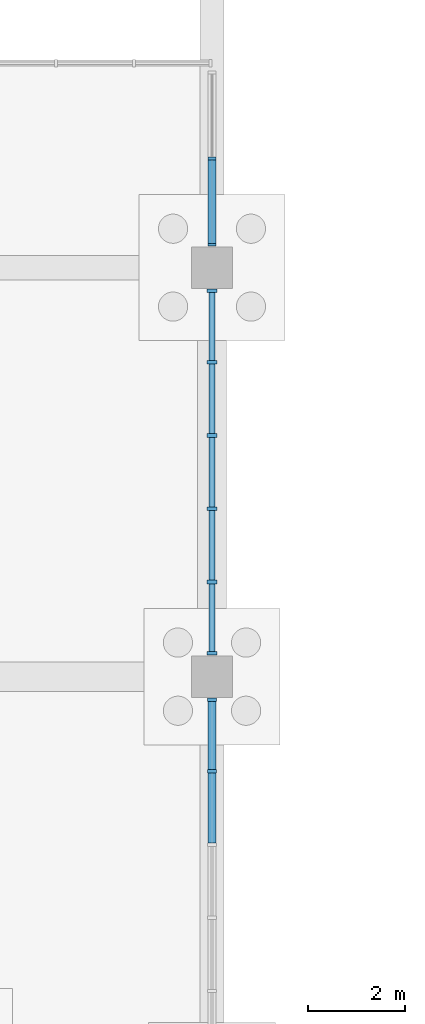
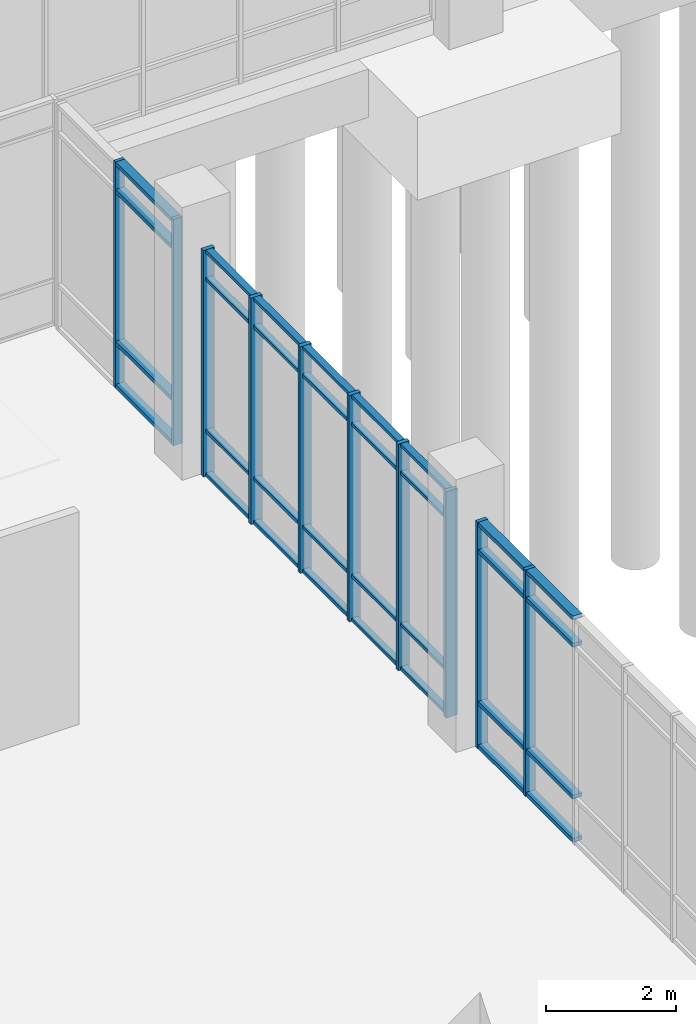
# One storey, part 60 of 136: 42 members, 3 elements without a shape of their own.
"""IFC4 building model written with IfcOpenShell, lengths in metres."""

from ifc_helpers import new_model, si_unit, direction, frame, origin, origin_2d, place, context, subcontext, project, spatial, rectangle, extrude, material, material_profile, profile_set, type_object, element, aggregate, save


model = new_model("IFC4")

# Units and contexts
model_context = context("Model", 3, precision=1e-05, world=origin(), true_north=direction((0.0, 1.0)))
body_context = subcontext(model_context, "Body", "Model", "MODEL_VIEW")
ifc_project = project(units=[si_unit("LENGTHUNIT", "METRE"), si_unit("AREAUNIT", "SQUARE_METRE"), si_unit("VOLUMEUNIT", "CUBIC_METRE"), si_unit("PLANEANGLEUNIT", "RADIAN"), si_unit("MASSUNIT", "GRAM", prefix="KILO")], contexts=[model_context])

# Site, building, storey
site_placement = place(None, origin())
site = spatial("IfcSite", under=ifc_project, at=site_placement, CompositionType="ELEMENT")
building_placement = place(site_placement, origin())
building = spatial("IfcBuilding", under=site, at=building_placement, Name="Oolite Switchyard Hospital", CompositionType="ELEMENT")
storey_placement = place(building_placement, origin())
storey = spatial("IfcBuildingStorey", under=building, at=storey_placement, Name="L00", CompositionType="ELEMENT", Elevation=0.0)

# Curtain wall, members
ifc_material_1 = material(Name="Thermally broken aluminum frame with laminated impact glazing", Category="aluminium")
curtain_wall_type = type_object("IfcCurtainWallType", Name="CW-UNIT-84X51", PredefinedType="USERDEFINED", material=ifc_material_1)
curtain_wall_1_placement = place(storey_placement, origin())
curtain_wall_1 = element("IfcCurtainWall", 1, at=curtain_wall_1_placement, inside=storey, type_object=curtain_wall_type, Name="L00 Unitised Curtain Wall 81", ObjectType="UNITISED", PredefinedType="USERDEFINED")
ifc_material_2 = material(Name="Aluminium 6063-T6", Category="aluminium")
ifc_material_profile_1 = material_profile(ifc_material_2, rectangle(XDim=0.159912109375, YDim=0.06005859375, at=origin_2d()), Name="CWM60X160")
ifc_profile_set_1 = profile_set([ifc_material_profile_1], Name="Aluminium 6063-T6")
member_type_1 = type_object("IfcMemberType", Name="CW-MUL-180", PredefinedType="MULLION", material=ifc_profile_set_1)
member_1_placement = place(storey_placement, frame((172.800048828125, 94.639892578125, 0.0), z_axis=(0.0, 0.0, 1.0), x_axis=(1.0, 0.0, 0.0)))
member_1 = element("IfcMember", 2, at=member_1_placement, type_object=member_type_1, Name="CW-06 mullion 2", PredefinedType="MULLION", context=body_context, shape_type="SweptSolid", body=[
    extrude(rectangle(XDim=0.159912109375, YDim=0.06005859375, at=origin_2d()), origin(), (0.0, 0.0, 1.0), 4.239990234375),
])
member_2_placement = place(storey_placement, frame((172.800048828125, 92.8701171875, 0.0), z_axis=(0.0, 0.0, 1.0), x_axis=(1.0, 0.0, 0.0)))
member_2 = element("IfcMember", 3, at=member_2_placement, type_object=member_type_1, Name="CW-06 mullion 3", PredefinedType="MULLION", context=body_context, shape_type="SweptSolid", body=[
    extrude(rectangle(XDim=0.159912109375, YDim=0.06005859375, at=origin_2d()), origin(), (0.0, 0.0, 1.0), 4.239990234375),
])

curtain_wall_2_placement = place(storey_placement, origin())
curtain_wall_2 = element("IfcCurtainWall", 4, at=curtain_wall_2_placement, inside=storey, type_object=curtain_wall_type, Name="L00 Unitised Curtain Wall 79", ObjectType="UNITISED", PredefinedType="USERDEFINED")
ifc_material_profile_2 = material_profile(ifc_material_2, rectangle(XDim=0.179931640625, YDim=0.070068359375, at=origin_2d()), Name="CWM70X180")
ifc_profile_set_2 = profile_set([ifc_material_profile_2], Name="Aluminium 6063-T6")
member_type_2 = type_object("IfcMemberType", Name="CW-MUL-220", PredefinedType="MULLION", material=ifc_profile_set_2)
member_3_placement = place(storey_placement, frame((172.800048828125, 83.52490234375, 0.0), z_axis=(0.0, 0.0, 1.0), x_axis=(1.0, 0.0, 0.0)))
member_3 = element("IfcMember", 5, at=member_3_placement, type_object=member_type_2, Name="CW-06 mullion 1", PredefinedType="MULLION", context=body_context, shape_type="SweptSolid", body=[
    extrude(rectangle(XDim=0.179931640625, YDim=0.070068359375, at=origin_2d()), origin(), (0.0, 0.0, 1.0), 4.239990234375),
])
member_4_placement = place(storey_placement, frame((172.800048828125, 82.055908203125, 0.0), z_axis=(0.0, 0.0, 1.0), x_axis=(1.0, 0.0, 0.0)))
member_4 = element("IfcMember", 6, at=member_4_placement, type_object=member_type_2, Name="CW-06 mullion 2", PredefinedType="MULLION", context=body_context, shape_type="SweptSolid", body=[
    extrude(rectangle(XDim=0.179931640625, YDim=0.070068359375, at=origin_2d()), origin(), (0.0, 0.0, 1.0), 4.239990234375),
])

curtain_wall_3_placement = place(storey_placement, origin())
curtain_wall_3 = element("IfcCurtainWall", 7, at=curtain_wall_3_placement, inside=storey, type_object=curtain_wall_type, Name="L00 Unitised Curtain Wall 80", ObjectType="UNITISED", PredefinedType="USERDEFINED")
ifc_material_profile_3 = material_profile(ifc_material_2, rectangle(XDim=0.199951171875, YDim=0.074951171875, at=origin_2d()), Name="CWM75X200")
ifc_profile_set_3 = profile_set([ifc_material_profile_3], Name="Aluminium 6063-T6")
member_type_3 = type_object("IfcMemberType", Name="CW-MUL-260", PredefinedType="MULLION", material=ifc_profile_set_3)
member_5_placement = place(storey_placement, frame((172.800048828125, 91.922607421875, 0.0), z_axis=(0.0, 0.0, 1.0), x_axis=(1.0, 0.0, 0.0)))
member_5 = element("IfcMember", 8, at=member_5_placement, type_object=member_type_3, Name="CW-06 mullion 1", PredefinedType="MULLION", context=body_context, shape_type="SweptSolid", body=[
    extrude(rectangle(XDim=0.199951171875, YDim=0.074951171875, at=origin_2d()), origin(), (0.0, 0.0, 1.0), 4.239990234375),
])
member_6_placement = place(storey_placement, frame((172.800048828125, 90.4560546875, 0.0), z_axis=(0.0, 0.0, 1.0), x_axis=(1.0, 0.0, 0.0)))
member_6 = element("IfcMember", 9, at=member_6_placement, type_object=member_type_3, Name="CW-06 mullion 2", PredefinedType="MULLION", context=body_context, shape_type="SweptSolid", body=[
    extrude(rectangle(XDim=0.199951171875, YDim=0.074951171875, at=origin_2d()), origin(), (0.0, 0.0, 1.0), 4.239990234375),
])
member_7_placement = place(storey_placement, frame((172.800048828125, 88.951904296875, 0.0), z_axis=(0.0, 0.0, 1.0), x_axis=(1.0, 0.0, 0.0)))
member_7 = element("IfcMember", 10, at=member_7_placement, type_object=member_type_3, Name="CW-06 mullion 3", PredefinedType="MULLION", context=body_context, shape_type="SweptSolid", body=[
    extrude(rectangle(XDim=0.199951171875, YDim=0.074951171875, at=origin_2d()), origin(), (0.0, 0.0, 1.0), 4.239990234375),
])
member_8_placement = place(storey_placement, frame((172.800048828125, 87.447998046875, 0.0), z_axis=(0.0, 0.0, 1.0), x_axis=(1.0, 0.0, 0.0)))
member_8 = element("IfcMember", 11, at=member_8_placement, type_object=member_type_3, Name="CW-06 mullion 4", PredefinedType="MULLION", context=body_context, shape_type="SweptSolid", body=[
    extrude(rectangle(XDim=0.199951171875, YDim=0.074951171875, at=origin_2d()), origin(), (0.0, 0.0, 1.0), 4.239990234375),
])
member_9_placement = place(storey_placement, frame((172.800048828125, 85.944091796875, 0.0), z_axis=(0.0, 0.0, 1.0), x_axis=(1.0, 0.0, 0.0)))
member_9 = element("IfcMember", 12, at=member_9_placement, type_object=member_type_3, Name="CW-06 mullion 5", PredefinedType="MULLION", context=body_context, shape_type="SweptSolid", body=[
    extrude(rectangle(XDim=0.199951171875, YDim=0.074951171875, at=origin_2d()), origin(), (0.0, 0.0, 1.0), 4.239990234375),
])
member_10_placement = place(storey_placement, frame((172.800048828125, 84.4775390625, 0.0), z_axis=(0.0, 0.0, 1.0), x_axis=(1.0, 0.0, 0.0)))
member_10 = element("IfcMember", 13, at=member_10_placement, type_object=member_type_3, Name="CW-06 mullion 6", PredefinedType="MULLION", context=body_context, shape_type="SweptSolid", body=[
    extrude(rectangle(XDim=0.199951171875, YDim=0.074951171875, at=origin_2d()), origin(), (0.0, 0.0, 1.0), 4.239990234375),
])
ifc_material_profile_4 = material_profile(ifc_material_2, rectangle(XDim=0.1201171875, YDim=0.06005859375, at=origin_2d()), Name="CWT60X120")
ifc_profile_set_4 = profile_set([ifc_material_profile_4], Name="Aluminium 6063-T6")
member_type_4 = type_object("IfcMemberType", Name="CW-TRN-150", PredefinedType="USERDEFINED", material=ifc_profile_set_4)
member_11_placement = place(storey_placement, frame((172.800048828125, 91.885009765625, 0.030029296875), z_axis=(0.0, -1.0, 0.0), x_axis=(1.0, 0.0, 0.0)))
member_11 = element("IfcMember", 14, at=member_11_placement, type_object=member_type_4, Name="CW-06 transom 1.1", ObjectType="TRANSOM", PredefinedType="USERDEFINED", context=body_context, shape_type="SweptSolid", body=[
    extrude(rectangle(XDim=0.1201171875, YDim=0.06005859375, at=origin_2d()), origin(), (0.0, 0.0, 1.0), 1.3916015625),
])
member_12_placement = place(storey_placement, frame((172.800048828125, 91.885009765625, 0.85009765625), z_axis=(0.0, -1.0, 0.0), x_axis=(1.0, 0.0, 0.0)))
member_12 = element("IfcMember", 15, at=member_12_placement, type_object=member_type_4, Name="CW-06 transom 1.2", ObjectType="TRANSOM", PredefinedType="USERDEFINED", context=body_context, shape_type="SweptSolid", body=[
    extrude(rectangle(XDim=0.1201171875, YDim=0.06005859375, at=origin_2d()), origin(), (0.0, 0.0, 1.0), 1.3916015625),
])
member_13_placement = place(storey_placement, frame((172.800048828125, 91.885009765625, 3.68994140625), z_axis=(0.0, -1.0, 0.0), x_axis=(1.0, 0.0, 0.0)))
member_13 = element("IfcMember", 16, at=member_13_placement, type_object=member_type_4, Name="CW-06 transom 1.3", ObjectType="TRANSOM", PredefinedType="USERDEFINED", context=body_context, shape_type="SweptSolid", body=[
    extrude(rectangle(XDim=0.1201171875, YDim=0.06005859375, at=origin_2d()), origin(), (0.0, 0.0, 1.0), 1.3916015625),
])
member_14_placement = place(storey_placement, frame((172.800048828125, 91.885009765625, 4.2099609375), z_axis=(0.0, -1.0, 0.0), x_axis=(1.0, 0.0, 0.0)))
member_14 = element("IfcMember", 17, at=member_14_placement, type_object=member_type_4, Name="CW-06 transom 1.4", ObjectType="TRANSOM", PredefinedType="USERDEFINED", context=body_context, shape_type="SweptSolid", body=[
    extrude(rectangle(XDim=0.1201171875, YDim=0.06005859375, at=origin_2d()), origin(), (0.0, 0.0, 1.0), 1.3916015625),
])
member_15_placement = place(storey_placement, frame((172.800048828125, 90.41845703125, 0.030029296875), z_axis=(0.0, -1.0, 0.0), x_axis=(1.0, 0.0, 0.0)))
member_15 = element("IfcMember", 18, at=member_15_placement, type_object=member_type_4, Name="CW-06 transom 2.1", ObjectType="TRANSOM", PredefinedType="USERDEFINED", context=body_context, shape_type="SweptSolid", body=[
    extrude(rectangle(XDim=0.1201171875, YDim=0.06005859375, at=origin_2d()), origin(), (0.0, 0.0, 1.0), 1.428955078125),
])
member_16_placement = place(storey_placement, frame((172.800048828125, 90.41845703125, 0.85009765625), z_axis=(0.0, -1.0, 0.0), x_axis=(1.0, 0.0, 0.0)))
member_16 = element("IfcMember", 19, at=member_16_placement, type_object=member_type_4, Name="CW-06 transom 2.2", ObjectType="TRANSOM", PredefinedType="USERDEFINED", context=body_context, shape_type="SweptSolid", body=[
    extrude(rectangle(XDim=0.1201171875, YDim=0.06005859375, at=origin_2d()), origin(), (0.0, 0.0, 1.0), 1.428955078125),
])
member_17_placement = place(storey_placement, frame((172.800048828125, 90.41845703125, 3.68994140625), z_axis=(0.0, -1.0, 0.0), x_axis=(1.0, 0.0, 0.0)))
member_17 = element("IfcMember", 20, at=member_17_placement, type_object=member_type_4, Name="CW-06 transom 2.3", ObjectType="TRANSOM", PredefinedType="USERDEFINED", context=body_context, shape_type="SweptSolid", body=[
    extrude(rectangle(XDim=0.1201171875, YDim=0.06005859375, at=origin_2d()), origin(), (0.0, 0.0, 1.0), 1.428955078125),
])
member_18_placement = place(storey_placement, frame((172.800048828125, 90.41845703125, 4.2099609375), z_axis=(0.0, -1.0, 0.0), x_axis=(1.0, 0.0, 0.0)))
member_18 = element("IfcMember", 21, at=member_18_placement, type_object=member_type_4, Name="CW-06 transom 2.4", ObjectType="TRANSOM", PredefinedType="USERDEFINED", context=body_context, shape_type="SweptSolid", body=[
    extrude(rectangle(XDim=0.1201171875, YDim=0.06005859375, at=origin_2d()), origin(), (0.0, 0.0, 1.0), 1.428955078125),
])
member_19_placement = place(storey_placement, frame((172.800048828125, 88.91455078125, 0.030029296875), z_axis=(0.0, -1.0, 0.0), x_axis=(1.0, 0.0, 0.0)))
member_19 = element("IfcMember", 22, at=member_19_placement, type_object=member_type_4, Name="CW-06 transom 3.1", ObjectType="TRANSOM", PredefinedType="USERDEFINED", context=body_context, shape_type="SweptSolid", body=[
    extrude(rectangle(XDim=0.1201171875, YDim=0.06005859375, at=origin_2d()), origin(), (0.0, 0.0, 1.0), 1.428955078125),
])
member_20_placement = place(storey_placement, frame((172.800048828125, 88.91455078125, 0.85009765625), z_axis=(0.0, -1.0, 0.0), x_axis=(1.0, 0.0, 0.0)))
member_20 = element("IfcMember", 23, at=member_20_placement, type_object=member_type_4, Name="CW-06 transom 3.2", ObjectType="TRANSOM", PredefinedType="USERDEFINED", context=body_context, shape_type="SweptSolid", body=[
    extrude(rectangle(XDim=0.1201171875, YDim=0.06005859375, at=origin_2d()), origin(), (0.0, 0.0, 1.0), 1.428955078125),
])
member_21_placement = place(storey_placement, frame((172.800048828125, 88.91455078125, 3.68994140625), z_axis=(0.0, -1.0, 0.0), x_axis=(1.0, 0.0, 0.0)))
member_21 = element("IfcMember", 24, at=member_21_placement, type_object=member_type_4, Name="CW-06 transom 3.3", ObjectType="TRANSOM", PredefinedType="USERDEFINED", context=body_context, shape_type="SweptSolid", body=[
    extrude(rectangle(XDim=0.1201171875, YDim=0.06005859375, at=origin_2d()), origin(), (0.0, 0.0, 1.0), 1.428955078125),
])
member_22_placement = place(storey_placement, frame((172.800048828125, 88.91455078125, 4.2099609375), z_axis=(0.0, -1.0, 0.0), x_axis=(1.0, 0.0, 0.0)))
member_22 = element("IfcMember", 25, at=member_22_placement, type_object=member_type_4, Name="CW-06 transom 3.4", ObjectType="TRANSOM", PredefinedType="USERDEFINED", context=body_context, shape_type="SweptSolid", body=[
    extrude(rectangle(XDim=0.1201171875, YDim=0.06005859375, at=origin_2d()), origin(), (0.0, 0.0, 1.0), 1.428955078125),
])
member_23_placement = place(storey_placement, frame((172.800048828125, 87.410400390625, 0.030029296875), z_axis=(0.0, -1.0, 0.0), x_axis=(1.0, 0.0, 0.0)))
member_23 = element("IfcMember", 26, at=member_23_placement, type_object=member_type_4, Name="CW-06 transom 4.1", ObjectType="TRANSOM", PredefinedType="USERDEFINED", context=body_context, shape_type="SweptSolid", body=[
    extrude(rectangle(XDim=0.1201171875, YDim=0.06005859375, at=origin_2d()), origin(), (0.0, 0.0, 1.0), 1.428955078125),
])
member_24_placement = place(storey_placement, frame((172.800048828125, 87.410400390625, 0.85009765625), z_axis=(0.0, -1.0, 0.0), x_axis=(1.0, 0.0, 0.0)))
member_24 = element("IfcMember", 27, at=member_24_placement, type_object=member_type_4, Name="CW-06 transom 4.2", ObjectType="TRANSOM", PredefinedType="USERDEFINED", context=body_context, shape_type="SweptSolid", body=[
    extrude(rectangle(XDim=0.1201171875, YDim=0.06005859375, at=origin_2d()), origin(), (0.0, 0.0, 1.0), 1.428955078125),
])
member_25_placement = place(storey_placement, frame((172.800048828125, 87.410400390625, 3.68994140625), z_axis=(0.0, -1.0, 0.0), x_axis=(1.0, 0.0, 0.0)))
member_25 = element("IfcMember", 28, at=member_25_placement, type_object=member_type_4, Name="CW-06 transom 4.3", ObjectType="TRANSOM", PredefinedType="USERDEFINED", context=body_context, shape_type="SweptSolid", body=[
    extrude(rectangle(XDim=0.1201171875, YDim=0.06005859375, at=origin_2d()), origin(), (0.0, 0.0, 1.0), 1.428955078125),
])
member_26_placement = place(storey_placement, frame((172.800048828125, 87.410400390625, 4.2099609375), z_axis=(0.0, -1.0, 0.0), x_axis=(1.0, 0.0, 0.0)))
member_26 = element("IfcMember", 29, at=member_26_placement, type_object=member_type_4, Name="CW-06 transom 4.4", ObjectType="TRANSOM", PredefinedType="USERDEFINED", context=body_context, shape_type="SweptSolid", body=[
    extrude(rectangle(XDim=0.1201171875, YDim=0.06005859375, at=origin_2d()), origin(), (0.0, 0.0, 1.0), 1.428955078125),
])
member_27_placement = place(storey_placement, frame((172.800048828125, 85.906494140625, 0.030029296875), z_axis=(0.0, -1.0, 0.0), x_axis=(1.0, 0.0, 0.0)))
member_27 = element("IfcMember", 30, at=member_27_placement, type_object=member_type_4, Name="CW-06 transom 5.1", ObjectType="TRANSOM", PredefinedType="USERDEFINED", context=body_context, shape_type="SweptSolid", body=[
    extrude(rectangle(XDim=0.1201171875, YDim=0.06005859375, at=origin_2d()), origin(), (0.0, 0.0, 1.0), 1.3916015625),
])
member_28_placement = place(storey_placement, frame((172.800048828125, 85.906494140625, 0.85009765625), z_axis=(0.0, -1.0, 0.0), x_axis=(1.0, 0.0, 0.0)))
member_28 = element("IfcMember", 31, at=member_28_placement, type_object=member_type_4, Name="CW-06 transom 5.2", ObjectType="TRANSOM", PredefinedType="USERDEFINED", context=body_context, shape_type="SweptSolid", body=[
    extrude(rectangle(XDim=0.1201171875, YDim=0.06005859375, at=origin_2d()), origin(), (0.0, 0.0, 1.0), 1.3916015625),
])
member_29_placement = place(storey_placement, frame((172.800048828125, 85.906494140625, 3.68994140625), z_axis=(0.0, -1.0, 0.0), x_axis=(1.0, 0.0, 0.0)))
member_29 = element("IfcMember", 32, at=member_29_placement, type_object=member_type_4, Name="CW-06 transom 5.3", ObjectType="TRANSOM", PredefinedType="USERDEFINED", context=body_context, shape_type="SweptSolid", body=[
    extrude(rectangle(XDim=0.1201171875, YDim=0.06005859375, at=origin_2d()), origin(), (0.0, 0.0, 1.0), 1.3916015625),
])
member_30_placement = place(storey_placement, frame((172.800048828125, 85.906494140625, 4.2099609375), z_axis=(0.0, -1.0, 0.0), x_axis=(1.0, 0.0, 0.0)))
member_30 = element("IfcMember", 33, at=member_30_placement, type_object=member_type_4, Name="CW-06 transom 5.4", ObjectType="TRANSOM", PredefinedType="USERDEFINED", context=body_context, shape_type="SweptSolid", body=[
    extrude(rectangle(XDim=0.1201171875, YDim=0.06005859375, at=origin_2d()), origin(), (0.0, 0.0, 1.0), 1.3916015625),
])
aggregate(curtain_wall_3, [member_5, member_6, member_7, member_8, member_9, member_10, member_11, member_12, member_13, member_14, member_15, member_16, member_17, member_18, member_19, member_20, member_21, member_22, member_23, member_24, member_25, member_26, member_27, member_28, member_29, member_30])

# Member
ifc_material_profile_5 = material_profile(ifc_material_2, rectangle(XDim=0.159912109375, YDim=0.074951171875, at=origin_2d()), Name="CWT75X160")
ifc_profile_set_5 = profile_set([ifc_material_profile_5], Name="Aluminium 6063-T6")
member_type_5 = type_object("IfcMemberType", Name="CW-TRN-180", PredefinedType="USERDEFINED", material=ifc_profile_set_5)
member_31_placement = place(storey_placement, frame((172.800048828125, 83.489990234375, 0.03759765625), z_axis=(0.0, -1.0, 0.0), x_axis=(1.0, 0.0, 0.0)))
member_31 = element("IfcMember", 34, at=member_31_placement, type_object=member_type_5, Name="CW-06 transom 1.1", ObjectType="TRANSOM", PredefinedType="USERDEFINED", context=body_context, shape_type="SweptSolid", body=[
    extrude(rectangle(XDim=0.159912109375, YDim=0.074951171875, at=origin_2d()), origin(), (0.0, 0.0, 1.0), 1.39892578125),
])

member_32_placement = place(storey_placement, frame((172.800048828125, 83.489990234375, 0.85009765625), z_axis=(0.0, -1.0, 0.0), x_axis=(1.0, 0.0, 0.0)))
member_32 = element("IfcMember", 35, at=member_32_placement, type_object=member_type_5, Name="CW-06 transom 1.2", ObjectType="TRANSOM", PredefinedType="USERDEFINED", context=body_context, shape_type="SweptSolid", body=[
    extrude(rectangle(XDim=0.159912109375, YDim=0.074951171875, at=origin_2d()), origin(), (0.0, 0.0, 1.0), 1.39892578125),
])

member_33_placement = place(storey_placement, frame((172.800048828125, 83.489990234375, 3.68994140625), z_axis=(0.0, -1.0, 0.0), x_axis=(1.0, 0.0, 0.0)))
member_33 = element("IfcMember", 36, at=member_33_placement, type_object=member_type_5, Name="CW-06 transom 1.3", ObjectType="TRANSOM", PredefinedType="USERDEFINED", context=body_context, shape_type="SweptSolid", body=[
    extrude(rectangle(XDim=0.159912109375, YDim=0.074951171875, at=origin_2d()), origin(), (0.0, 0.0, 1.0), 1.39892578125),
])

member_34_placement = place(storey_placement, frame((172.800048828125, 83.489990234375, 4.202392578125), z_axis=(0.0, -1.0, 0.0), x_axis=(1.0, 0.0, 0.0)))
member_34 = element("IfcMember", 37, at=member_34_placement, type_object=member_type_5, Name="CW-06 transom 1.4", ObjectType="TRANSOM", PredefinedType="USERDEFINED", context=body_context, shape_type="SweptSolid", body=[
    extrude(rectangle(XDim=0.159912109375, YDim=0.074951171875, at=origin_2d()), origin(), (0.0, 0.0, 1.0), 1.39892578125),
])

member_35_placement = place(storey_placement, frame((172.800048828125, 82.02099609375, 0.03759765625), z_axis=(0.0, -1.0, 0.0), x_axis=(1.0, 0.0, 0.0)))
member_35 = element("IfcMember", 38, at=member_35_placement, type_object=member_type_5, Name="CW-06 transom 2.1", ObjectType="TRANSOM", PredefinedType="USERDEFINED", context=body_context, shape_type="SweptSolid", body=[
    extrude(rectangle(XDim=0.159912109375, YDim=0.074951171875, at=origin_2d()), origin(), (0.0, 0.0, 1.0), 1.43408203125),
])

member_36_placement = place(storey_placement, frame((172.800048828125, 82.02099609375, 0.85009765625), z_axis=(0.0, -1.0, 0.0), x_axis=(1.0, 0.0, 0.0)))
member_36 = element("IfcMember", 39, at=member_36_placement, type_object=member_type_5, Name="CW-06 transom 2.2", ObjectType="TRANSOM", PredefinedType="USERDEFINED", context=body_context, shape_type="SweptSolid", body=[
    extrude(rectangle(XDim=0.159912109375, YDim=0.074951171875, at=origin_2d()), origin(), (0.0, 0.0, 1.0), 1.43408203125),
])

member_37_placement = place(storey_placement, frame((172.800048828125, 82.02099609375, 3.68994140625), z_axis=(0.0, -1.0, 0.0), x_axis=(1.0, 0.0, 0.0)))
member_37 = element("IfcMember", 40, at=member_37_placement, type_object=member_type_5, Name="CW-06 transom 2.3", ObjectType="TRANSOM", PredefinedType="USERDEFINED", context=body_context, shape_type="SweptSolid", body=[
    extrude(rectangle(XDim=0.159912109375, YDim=0.074951171875, at=origin_2d()), origin(), (0.0, 0.0, 1.0), 1.43408203125),
])

member_38_placement = place(storey_placement, frame((172.800048828125, 82.02099609375, 4.202392578125), z_axis=(0.0, -1.0, 0.0), x_axis=(1.0, 0.0, 0.0)))
member_38 = element("IfcMember", 41, at=member_38_placement, type_object=member_type_5, Name="CW-06 transom 2.4", ObjectType="TRANSOM", PredefinedType="USERDEFINED", context=body_context, shape_type="SweptSolid", body=[
    extrude(rectangle(XDim=0.159912109375, YDim=0.074951171875, at=origin_2d()), origin(), (0.0, 0.0, 1.0), 1.43408203125),
])

aggregate(curtain_wall_2, [member_3, member_4, member_31, member_32, member_33, member_34, member_35, member_36, member_37, member_38])

member_39_placement = place(storey_placement, frame((172.800048828125, 94.610107421875, 0.03759765625), z_axis=(0.0, -1.0, 0.0), x_axis=(1.0, 0.0, 0.0)))
member_39 = element("IfcMember", 42, at=member_39_placement, type_object=member_type_5, Name="CW-06 transom 2.1", ObjectType="TRANSOM", PredefinedType="USERDEFINED", context=body_context, shape_type="SweptSolid", body=[
    extrude(rectangle(XDim=0.159912109375, YDim=0.074951171875, at=origin_2d()), origin(), (0.0, 0.0, 1.0), 1.710205078125),
])

member_40_placement = place(storey_placement, frame((172.800048828125, 94.610107421875, 0.85009765625), z_axis=(0.0, -1.0, 0.0), x_axis=(1.0, 0.0, 0.0)))
member_40 = element("IfcMember", 43, at=member_40_placement, type_object=member_type_5, Name="CW-06 transom 2.2", ObjectType="TRANSOM", PredefinedType="USERDEFINED", context=body_context, shape_type="SweptSolid", body=[
    extrude(rectangle(XDim=0.159912109375, YDim=0.074951171875, at=origin_2d()), origin(), (0.0, 0.0, 1.0), 1.710205078125),
])

member_41_placement = place(storey_placement, frame((172.800048828125, 94.610107421875, 3.68994140625), z_axis=(0.0, -1.0, 0.0), x_axis=(1.0, 0.0, 0.0)))
member_41 = element("IfcMember", 44, at=member_41_placement, type_object=member_type_5, Name="CW-06 transom 2.3", ObjectType="TRANSOM", PredefinedType="USERDEFINED", context=body_context, shape_type="SweptSolid", body=[
    extrude(rectangle(XDim=0.159912109375, YDim=0.074951171875, at=origin_2d()), origin(), (0.0, 0.0, 1.0), 1.710205078125),
])

member_42_placement = place(storey_placement, frame((172.800048828125, 94.610107421875, 4.202392578125), z_axis=(0.0, -1.0, 0.0), x_axis=(1.0, 0.0, 0.0)))
member_42 = element("IfcMember", 45, at=member_42_placement, type_object=member_type_5, Name="CW-06 transom 2.4", ObjectType="TRANSOM", PredefinedType="USERDEFINED", context=body_context, shape_type="SweptSolid", body=[
    extrude(rectangle(XDim=0.159912109375, YDim=0.074951171875, at=origin_2d()), origin(), (0.0, 0.0, 1.0), 1.710205078125),
])

aggregate(curtain_wall_1, [member_1, member_2, member_39, member_40, member_41, member_42])

save(model, "model.ifc")
